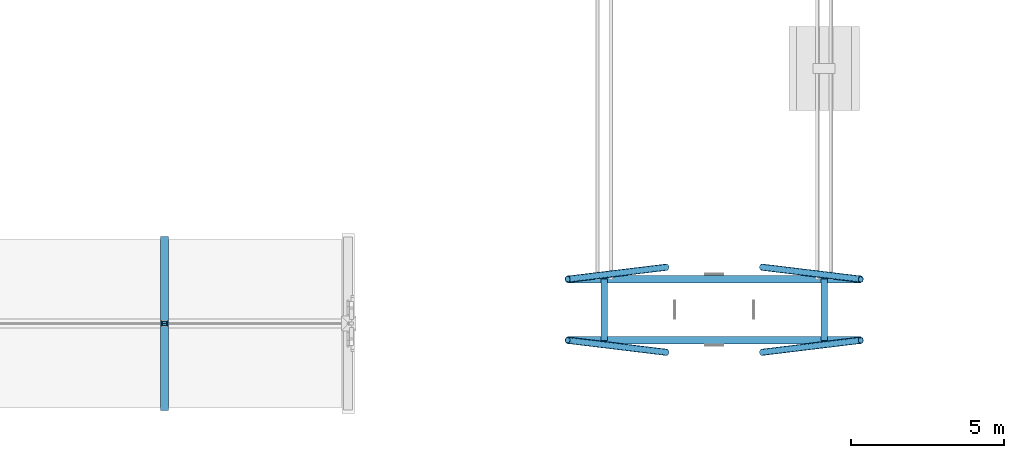
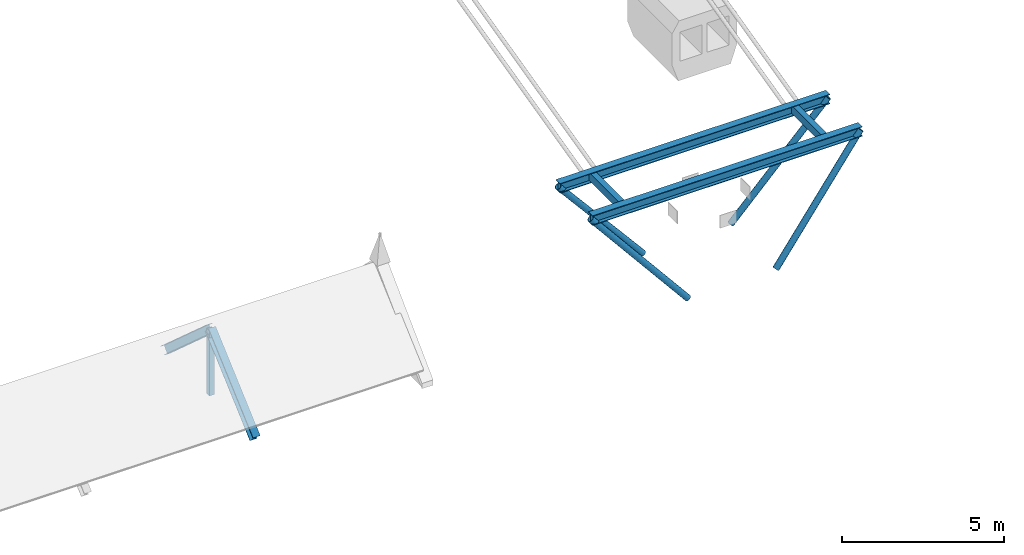
# One storey, part 32 of 108: 11 members.
"""IFC4 building model written with IfcOpenShell, lengths in metres."""

from ifc_helpers import new_model, si_unit, direction, frame, origin, origin_2d, place, context, subcontext, project, spatial, hollow_rectangle, hollow_circle, i_section, extrude, material, material_profile, profile_set, type_object, element, save


model = new_model("IFC4")

# Units and contexts
model_context = context("Model", 3, precision=1e-05, world=origin(), true_north=direction((0.0, 1.0)))
body_context = subcontext(model_context, "Body", "Model", "MODEL_VIEW")
ifc_project = project(units=[si_unit("LENGTHUNIT", "METRE"), si_unit("AREAUNIT", "SQUARE_METRE"), si_unit("VOLUMEUNIT", "CUBIC_METRE"), si_unit("PLANEANGLEUNIT", "RADIAN"), si_unit("MASSUNIT", "GRAM", prefix="KILO")], contexts=[model_context])

# Site, building, storey
site_placement = place(None, origin())
site = spatial("IfcSite", under=ifc_project, at=site_placement, CompositionType="ELEMENT")
building_placement = place(site_placement, origin())
building = spatial("IfcBuilding", under=site, at=building_placement, Name="Cumevento Cable Car Station", CompositionType="ELEMENT")
storey_placement = place(building_placement, frame((0.0, 0.0, 13.5)))
storey = spatial("IfcBuildingStorey", under=building, at=storey_placement, Name="L04", CompositionType="ELEMENT", Elevation=13.5)

# Members
ifc_material_1 = material(Name="Steel ASTM A572 Grade 50", Category="steel")
ifc_material_profile_1 = material_profile(ifc_material_1, hollow_rectangle(XDim=0.179931640625, YDim=0.179931640625, WallThickness=0.010009765625, at=origin_2d()), Name="HSS180x180x10.0")
ifc_profile_set_1 = profile_set([ifc_material_profile_1], Name="Steel ASTM A572 Grade 50")
member_type_1 = type_object("IfcMemberType", Name="Framing Brace BR-01 HSS180x180x10.0", PredefinedType="BRACE", material=ifc_profile_set_1)
member_placement = place(storey_placement, frame((76.0, 6.75, 0.0), z_axis=(0.0, 0.0, 1.0), x_axis=(1.0, 0.0, 0.0)))
element("IfcMember", 1, at=member_placement, inside=storey, type_object=member_type_1, Name="Wing B_V1b King Post #694", PredefinedType="BRACE", context=body_context, shape_type="SweptSolid", body=[
    extrude(hollow_rectangle(XDim=0.179931640625, YDim=0.179931640625, WallThickness=0.010009765625, at=origin_2d()), origin(), (0.0, 0.0, 1.0), 2.449951171875),
])
ifc_material_2 = material(Name="Steel ASTM A572 Grade 50", Category="steel")
ifc_material_profile_2 = material_profile(ifc_material_2, hollow_circle(Radius=0.109619140625, WallThickness=0.012451171875, at=origin_2d()), Name="CHS219.1x12.5")
ifc_profile_set_2 = profile_set([ifc_material_profile_2], Name="Steel ASTM A572 Grade 50")
member_type_2 = type_object("IfcMemberType", Name="Framing Brace TD-01 CHS219.1x12.5", PredefinedType="BRACE", material=ifc_profile_set_2)
for number, where, z_axis, x_axis, name in (
    (2, (92.43310546875, 5.806884765625, -1.574951171875), (-0.638716217768, 0.07765106929, 0.765514143957), (-0.120685060962, -0.992690846165, 0.0), "PYLON_S02 Crosshead Knee Strut #651"),
    (3, (92.43310546875, 8.59326171875, -1.574951171875), (-0.638713824952, -0.077699008684, 0.765511276119), (0.120758927846, -0.992681863109, 0.0), "PYLON_S02 Crosshead Knee Strut #652"),
    (4, (95.56689453125, 5.806884765625, -1.574951171875), (0.638716217768, 0.07765106929, 0.765514143957), (-0.120685060962, 0.992690846165, 0.0), "PYLON_S02 Crosshead Knee Strut #653"),
    (5, (95.56689453125, 8.59326171875, -1.574951171875), (0.638713824952, -0.077699008684, 0.765511276119), (0.120758927846, 0.992681863109, 0.0), "PYLON_S02 Crosshead Knee Strut #654"),
):
    element("IfcMember", number, at=place(storey_placement, frame(where, z_axis=z_axis, x_axis=x_axis)), inside=storey, type_object=member_type_2, Name=name, PredefinedType="BRACE", context=body_context, shape_type="SweptSolid", body=[
        extrude(hollow_circle(Radius=0.109619140625, WallThickness=0.012451171875, at=origin_2d()), origin(), (0.0, 0.0, 1.0), 5.06201171875),
    ])
ifc_material_3 = material(Name="Steel ASTM A572 Grade 50", Category="steel")
ifc_material_profile_3 = material_profile(ifc_material_3, i_section(OverallWidth=0.257080078125, OverallDepth=0.363037109375, WebThickness=0.012939453125, FlangeThickness=0.021728515625, at=origin_2d()), Name="W360x122.0")
ifc_profile_set_3 = profile_set([ifc_material_profile_3], Name="Steel ASTM A572 Grade 50")
member_type_3 = type_object("IfcMemberType", Name="Framing Chord TC-01 W360x122.0", PredefinedType="CHORD", material=ifc_profile_set_3)
for number, where, z_axis, x_axis, name in (
    (6, (89.199951171875, 6.199951171875, 2.300048828125), (1.0, 0.0, 0.0), (0.0, 1.0, 0.0), "PYLON_S02 Sheave Crosshead Header #649"),
    (7, (89.199951171875, 8.199951171875, 2.300048828125), (1.0, 0.0, 0.0), (0.0, 1.0, 0.0), "PYLON_S02 Sheave Crosshead Header #650"),
):
    element("IfcMember", number, at=place(storey_placement, frame(where, z_axis=z_axis, x_axis=x_axis)), inside=storey, type_object=member_type_3, Name=name, PredefinedType="CHORD", context=body_context, shape_type="SweptSolid", body=[
        extrude(i_section(OverallWidth=0.257080078125, OverallDepth=0.363037109375, WebThickness=0.012939453125, FlangeThickness=0.021728515625, at=origin_2d()), origin(), (0.0, 0.0, 1.0), 9.60009765625),
    ])
ifc_material_4 = material(Name="Steel ASTM A572 Grade 50", Category="steel")
ifc_material_profile_4 = material_profile(ifc_material_4, i_section(OverallWidth=0.25390625, OverallDepth=0.305908203125, WebThickness=0.0087890625, FlangeThickness=0.0146484375, at=origin_2d()), Name="W310x79.0")
ifc_profile_set_4 = profile_set([ifc_material_profile_4], Name="Steel ASTM A572 Grade 50")
member_type_4 = type_object("IfcMemberType", Name="Framing Chord TC-03 W310x79.0", PredefinedType="CHORD", material=ifc_profile_set_4)
for number, where, z_axis, x_axis, name in (
    (8, (76.0, 4.0, 0.0), (0.0, 0.746666427997, 0.665198651008), (-1.0, 0.0, 0.0), "Wing B_V1b Rafter #695"),
    (9, (76.0, 9.5, 0.0), (0.0, -0.746666427997, 0.665198651008), (1.0, 0.0, 0.0), "Wing B_V1b Rafter #696"),
):
    element("IfcMember", number, at=place(storey_placement, frame(where, z_axis=z_axis, x_axis=x_axis)), inside=storey, type_object=member_type_4, Name=name, PredefinedType="CHORD", context=body_context, shape_type="SweptSolid", body=[
        extrude(i_section(OverallWidth=0.25390625, OverallDepth=0.305908203125, WebThickness=0.0087890625, FlangeThickness=0.0146484375, at=origin_2d()), origin(), (0.0, 0.0, 1.0), 3.68310546875),
    ])
ifc_material_5 = material(Name="Steel ASTM A572 Grade 50", Category="steel")
ifc_material_profile_5 = material_profile(ifc_material_5, hollow_rectangle(XDim=0.199951171875, YDim=0.300048828125, WallThickness=0.012451171875, at=origin_2d()), Name="HSS300x200x12.5")
ifc_profile_set_5 = profile_set([ifc_material_profile_5], Name="Steel ASTM A572 Grade 50")
member_type_5 = type_object("IfcMemberType", Name="Framing Chord TC-04 HSS300x200x12.5", PredefinedType="CHORD", material=ifc_profile_set_5)
for number, where, z_axis, x_axis, name in (
    (10, (90.39990234375, 6.199951171875, 2.300048828125), (0.0, 1.0, 0.0), (-1.0, 0.0, 0.0), "PYLON_S02 Roller Sheave Battery #655"),
    (11, (97.60009765625, 6.199951171875, 2.300048828125), (0.0, 1.0, 0.0), (-1.0, 0.0, 0.0), "PYLON_S02 Roller Sheave Battery #656"),
):
    element("IfcMember", number, at=place(storey_placement, frame(where, z_axis=z_axis, x_axis=x_axis)), inside=storey, type_object=member_type_5, Name=name, PredefinedType="CHORD", context=body_context, shape_type="SweptSolid", body=[
        extrude(hollow_rectangle(XDim=0.199951171875, YDim=0.300048828125, WallThickness=0.012451171875, at=origin_2d()), origin(), (0.0, 0.0, 1.0), 2.0),
    ])

save(model, "model.ifc")
